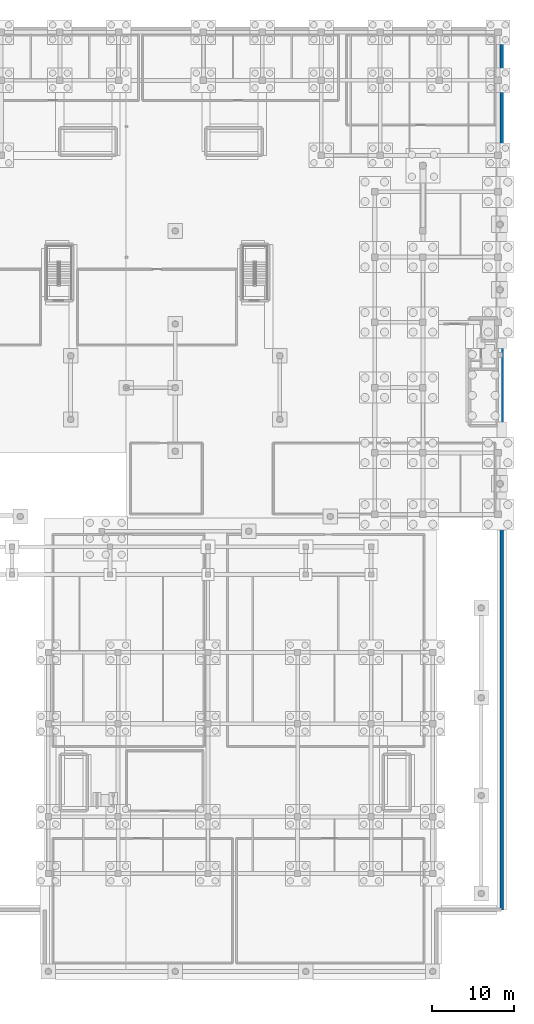
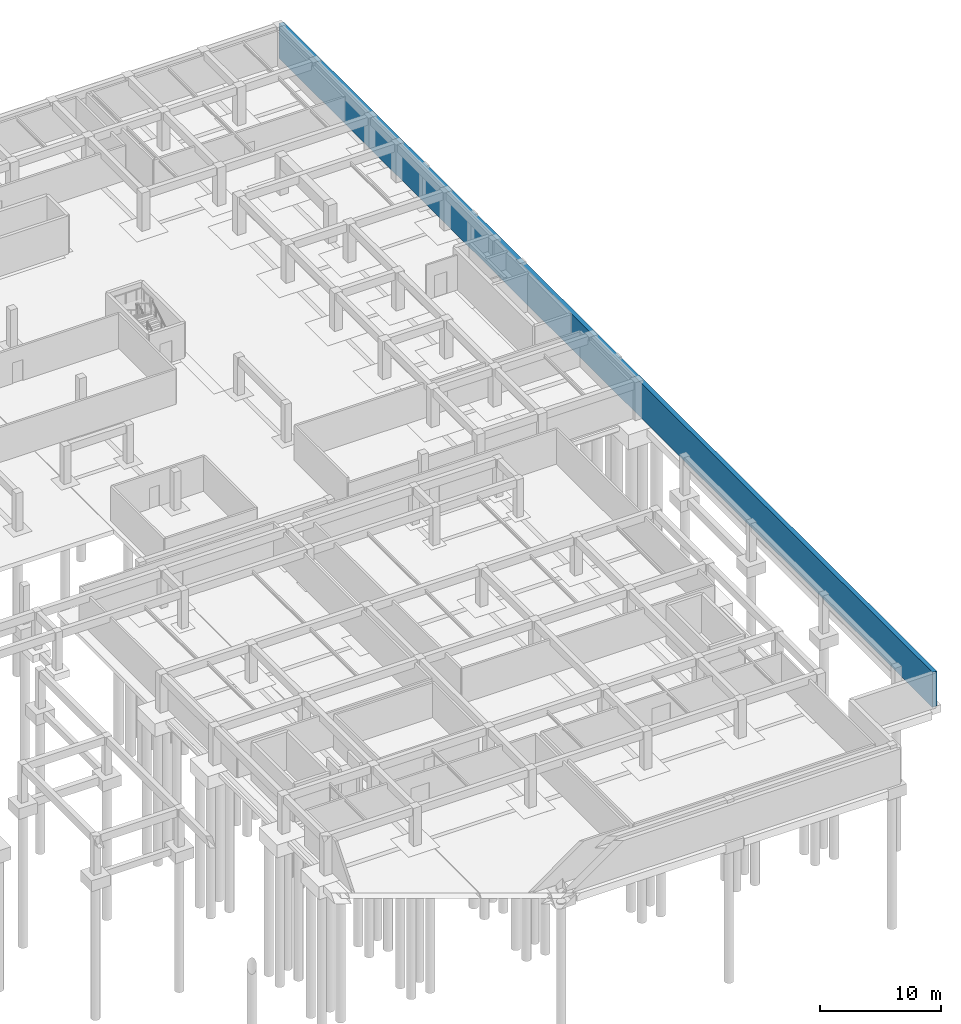
# One storey, part 25 of 35: 1 wall.
"""IFC4 building model written with IfcOpenShell, lengths in metres."""

import ifcopenshell
import ifcopenshell.guid

model = None  # the IFC model being written
_history = None  # IfcOwnerHistory: only IFC2X3 demands one
_inside = {}  # id of a spatial element -> (the spatial element, [elements in it])
_under = {}  # id of a project, library or spatial element -> (it, [spatial elements below it])
_declared = {}  # id of a project -> (the project, [libraries it declares])
_typed = {}  # id of a type object -> (the type object, [elements of that type])
_made_of = {}  # id of a material, layer set ... -> (it, [elements and type objects made of it])


def new_model(schema):
    """Start an empty IFC model of exactly this schema.

    Asked for "IFC4X3", IfcOpenShell would pick the latest addendum, in which some entities
    have other attributes; the version numbers below select the first issue.
    IFC2X3 requires an IfcOwnerHistory on every rooted entity: one is made here for all.
    """
    global model, _history
    if schema == "IFC4X3":
        model = ifcopenshell.file(schema_version=(4, 3, 0, 0))
    else:
        model = ifcopenshell.file(schema=schema)
    _inside.clear()
    _under.clear()
    _declared.clear()
    _typed.clear()
    _made_of.clear()
    _history = None
    if model.schema == "IFC2X3":
        org = make("IfcOrganization", Name="unknown")
        user = make(
            "IfcPersonAndOrganization",
            ThePerson=make("IfcPerson", FamilyName="unknown"),
            TheOrganization=org,
        )
        app = make(
            "IfcApplication",
            ApplicationDeveloper=org,
            Version="unknown",
            ApplicationFullName="unknown",
            ApplicationIdentifier="unknown",
        )
        _history = make(
            "IfcOwnerHistory",
            OwningUser=user,
            OwningApplication=app,
            ChangeAction="ADDED",
            CreationDate=0,
        )
    return model


def make(cls, **values):
    """One entity of the class cls with the attributes given. An attribute that is None is left unset."""
    return model.create_entity(
        cls, **{name: value for name, value in values.items() if value is not None}
    )


def rooted(cls, **values):
    """An entity with a GlobalId (a new one), such as an element, a storey or a relation."""
    return make(cls, GlobalId=ifcopenshell.guid.new(), OwnerHistory=_history, **values)


def si_unit(unit_type, name, prefix=None):
    """IfcSIUnit, for example si_unit("LENGTHUNIT", "METRE", prefix="MILLI")."""
    return make("IfcSIUnit", UnitType=unit_type, Prefix=prefix, Name=name)


def assignment(units):
    """IfcUnitAssignment: the units of a project."""
    return None if units is None else make("IfcUnitAssignment", Units=units)


def point(xyz):
    """IfcCartesianPoint."""
    return None if xyz is None else make("IfcCartesianPoint", Coordinates=xyz)


def direction(xyz):
    """IfcDirection."""
    return None if xyz is None else make("IfcDirection", DirectionRatios=xyz)


def frame(location, z_axis=None, x_axis=None):
    """IfcAxis2Placement3D, a coordinate frame: its origin and axes. An axis left out is left unset."""
    return make(
        "IfcAxis2Placement3D",
        Location=point(location),
        Axis=direction(z_axis),
        RefDirection=direction(x_axis),
    )


def frame_2d(location, x_axis=None):
    """IfcAxis2Placement2D, a coordinate frame in the plane: its origin and x axis."""
    return make(
        "IfcAxis2Placement2D", Location=point(location), RefDirection=direction(x_axis)
    )


def origin():
    """The frame at (0, 0, 0) with its axes left unset."""
    return frame((0.0, 0.0, 0.0))


def place(relative_to, where):
    """IfcLocalPlacement: puts the frame where relative to a parent placement (None: the world)."""
    return make(
        "IfcLocalPlacement", PlacementRelTo=relative_to, RelativePlacement=where
    )


def context(
    kind, dimensions, precision=None, world=None, true_north=None, identifier=None
):
    """IfcGeometricRepresentationContext, for example the 3D "Model" context."""
    return make(
        "IfcGeometricRepresentationContext",
        ContextIdentifier=identifier,
        ContextType=kind,
        CoordinateSpaceDimension=dimensions,
        Precision=precision,
        WorldCoordinateSystem=world,
        TrueNorth=true_north,
    )


def subcontext(parent, identifier, kind, view, scale=None):
    """IfcGeometricRepresentationSubContext, for example "Body" below "Model"."""
    return make(
        "IfcGeometricRepresentationSubContext",
        ContextIdentifier=identifier,
        ContextType=kind,
        ParentContext=parent,
        TargetScale=scale,
        TargetView=view,
    )


def project(units=None, contexts=None):
    """IfcProject with its units and contexts."""
    return rooted(
        "IfcProject",
        Name="project",
        RepresentationContexts=contexts,
        UnitsInContext=assignment(units),
    )


def spatial(cls, under=None, at=None, **own):
    """A site, building, storey or space (cls), placed at a placement, below another one or the project."""
    s = rooted(cls, ObjectPlacement=at, **own)
    if under is not None:
        _under.setdefault(under.id(), (under, []))[1].append(s)
    return s


def profile(cls, at=None, kind="AREA", **sizes):
    """A parametric profile (cls). Its sizes go by their IFC names, for example OverallWidth=200.0."""
    return make(cls, ProfileType=kind, Position=at, **sizes)


def rectangle(**sizes):
    """IfcRectangleProfileDef."""
    return profile("IfcRectangleProfileDef", **sizes)


def extrude(swept, where, along, depth):
    """IfcExtrudedAreaSolid: the profile swept, set in the frame where, extruded along a direction by depth."""
    return make(
        "IfcExtrudedAreaSolid",
        SweptArea=swept,
        Position=where,
        ExtrudedDirection=direction(along),
        Depth=depth,
    )


def shape(context_of_items, identifier, shape_type, items):
    """IfcShapeRepresentation: the items that make up one representation, for example the "Body"."""
    return make(
        "IfcShapeRepresentation",
        ContextOfItems=context_of_items,
        RepresentationIdentifier=identifier,
        RepresentationType=shape_type,
        Items=items,
    )


def material(Name=None, Category=None):
    """IfcMaterial."""
    return make("IfcMaterial", Name=Name, Category=Category)


def layer(
    of_material, thickness, ventilated=None, Name=None, Category=None, Priority=None
):
    """IfcMaterialLayer: one layer of a wall or slab, of a material (None: an air gap)."""
    return make(
        "IfcMaterialLayer",
        Material=of_material,
        LayerThickness=thickness,
        IsVentilated=ventilated,
        Name=Name,
        Category=Category,
        Priority=Priority,
    )


def layer_set(layers, Name=None):
    """IfcMaterialLayerSet."""
    return make("IfcMaterialLayerSet", MaterialLayers=layers, LayerSetName=Name)


def made_of(thing, what):
    """Note that an element or type object is made of a material, layer set ...; save() writes the relation."""
    if what is not None:
        _made_of.setdefault(what.id(), (what, []))[1].append(thing)
    return thing


def type_object(cls, material=None, **own):
    """A type object (cls), such as IfcWallType, which elements share."""
    return made_of(rooted(cls, **own), material)


def element(
    cls,
    number,
    at=None,
    inside=None,
    cuts=None,
    type_object=None,
    material=None,
    context=None,
    identifier="Body",
    shape_type=None,
    held_by="IfcProductDefinitionShape",
    body=None,
    shapes=None,
    **own,
):
    """One element of the class cls, such as IfcWall. Its Tag is "e" and its number.

    at: its placement. inside: the storey or other place that contains it. cuts: it is an
    opening in that element (IfcRelVoidsElement). A single representation is given by context,
    identifier, shape_type and body (its items); several are given by shapes. held_by: the class
    of the entity that holds the representations. save() writes the other relations.
    """
    e = rooted(cls, Tag="e%d" % number, ObjectPlacement=at, **own)
    if body is not None:
        shapes = [shape(context, identifier, shape_type, body)]
    if shapes is not None:
        e.Representation = make(held_by, Representations=shapes)
    if inside is not None:
        _inside.setdefault(inside.id(), (inside, []))[1].append(e)
    if cuts is not None:
        rooted(
            "IfcRelVoidsElement", RelatingBuildingElement=cuts, RelatedOpeningElement=e
        )
    if type_object is not None:
        _typed.setdefault(type_object.id(), (type_object, []))[1].append(e)
    return made_of(e, material)


def aggregate(whole, parts):
    """IfcRelAggregates: a whole, such as a stair, and the parts it consists of."""
    return rooted("IfcRelAggregates", RelatingObject=whole, RelatedObjects=parts)


def save(model, path):
    """Write the relations noted so far, then the file.

    IfcRelAggregates (storeys below a building ...), IfcRelContainedInSpatialStructure (elements
    in a storey), IfcRelDefinesByType, IfcRelAssociatesMaterial and IfcRelDeclares: one each for
    every whole, place, type object, material and project.
    """
    for whole, parts in _under.values():
        aggregate(whole, parts)
    for where, things in _inside.values():
        rooted(
            "IfcRelContainedInSpatialStructure",
            RelatedElements=things,
            RelatingStructure=where,
        )
    for kind, things in _typed.values():
        rooted("IfcRelDefinesByType", RelatedObjects=things, RelatingType=kind)
    for what, things in _made_of.values():
        rooted("IfcRelAssociatesMaterial", RelatedObjects=things, RelatingMaterial=what)
    for by, libraries in _declared.values():
        rooted("IfcRelDeclares", RelatingContext=by, RelatedDefinitions=libraries)
    model.write(path)


model = new_model("IFC4")

# Units and contexts
model_context = context("Model", 3, precision=1e-05, world=origin(), true_north=direction((0.0, 1.0)))
body_context = subcontext(model_context, "Body", "Model", "MODEL_VIEW")
ifc_project = project(units=[si_unit("LENGTHUNIT", "METRE"), si_unit("AREAUNIT", "SQUARE_METRE"), si_unit("VOLUMEUNIT", "CUBIC_METRE"), si_unit("PLANEANGLEUNIT", "RADIAN"), si_unit("MASSUNIT", "GRAM", prefix="KILO")], contexts=[model_context])

# Site, building, storey
site_placement = place(None, origin())
site = spatial("IfcSite", under=ifc_project, at=site_placement, CompositionType="ELEMENT")
building_placement = place(site_placement, origin())
building = spatial("IfcBuilding", under=site, at=building_placement, Name="Keldmere Railside Commons", CompositionType="ELEMENT")
storey_placement = place(building_placement, frame((0.0, 0.0, -3.840087890625)))
storey = spatial("IfcBuildingStorey", under=building, at=storey_placement, Name="B1", CompositionType="ELEMENT", Elevation=-3.840087890625)

# Wall
ifc_material = material(Name="Concrete H-40 (C40/50)", Category="concrete")
ifc_layer = layer(ifc_material, 0.419921875, Name="Basement Retaining Wall 420")
ifc_layer_set = layer_set([ifc_layer], Name="Concrete H-40 (C40/50)")
wall_type = type_object("IfcWallType", Name="Basement Retaining Wall 420", PredefinedType="SOLIDWALL", material=ifc_layer_set)
wall_placement = place(storey_placement, frame((184.0, 116.0, 0.0), z_axis=(0.0, 0.0, 1.0), x_axis=(0.0, -1.0, 0.0)))
element("IfcWall", 1, at=wall_placement, inside=storey, type_object=wall_type, Name="RW-1 RW-B1-0003", PredefinedType="SOLIDWALL", context=body_context, shape_type="SweptSolid", body=[
    extrude(rectangle(XDim=108.0, YDim=0.419921875, at=frame_2d((54.0, 0.0))), origin(), (0.0, 0.0, 1.0), 3.5400390625),
])

save(model, "model.ifc")
